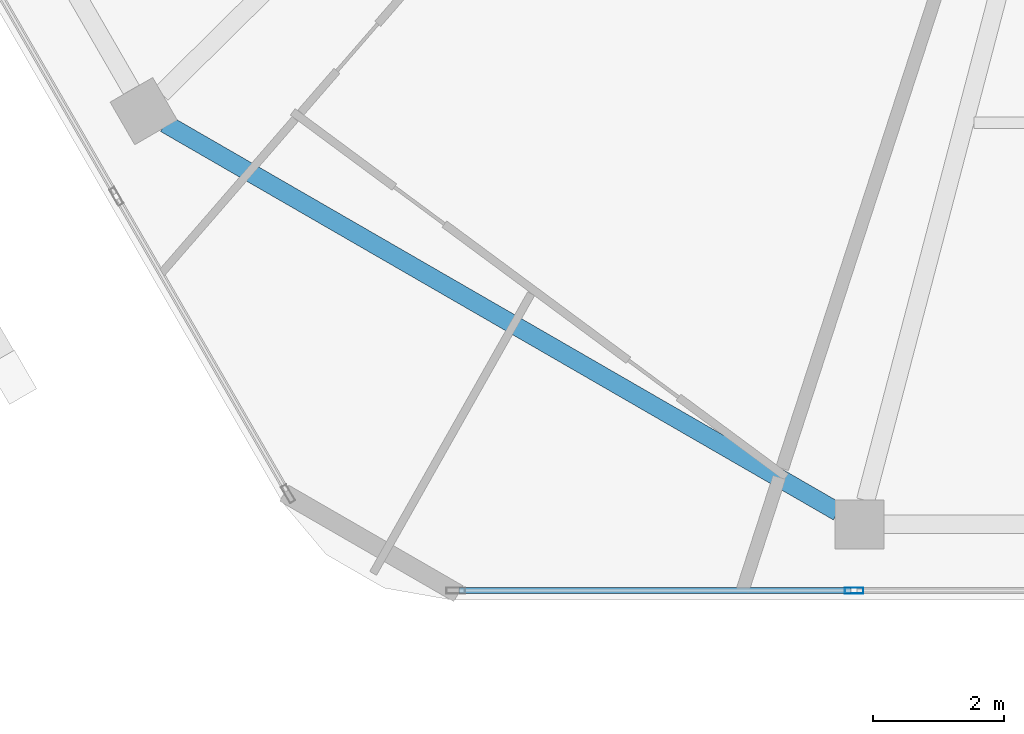
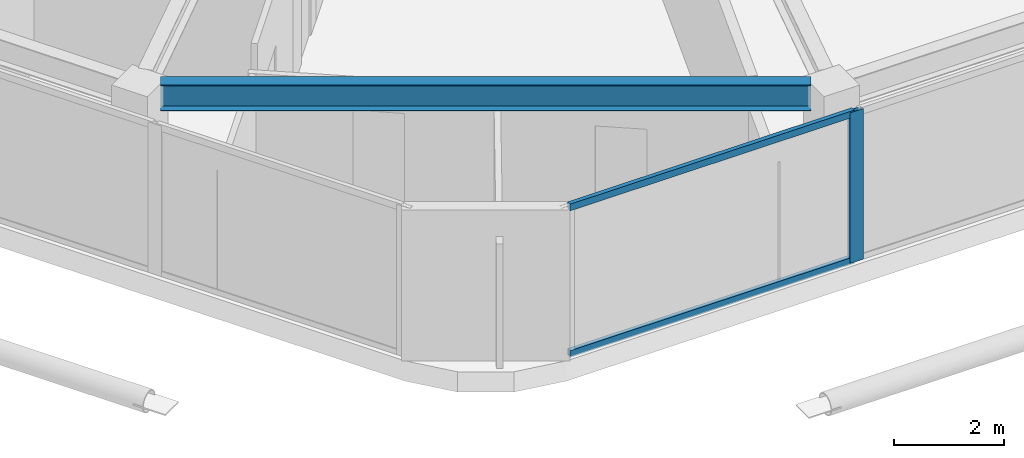
# One storey, part 3 of 22: 3 members, 1 beam, 1 element without a shape of its own.
"""IFC4 building model written with IfcOpenShell, lengths in metres."""

from ifc_helpers import new_model, si_unit, direction, frame, origin, origin_2d, place, context, subcontext, project, spatial, hollow_rectangle, i_section, extrude, material, material_profile, profile_set, type_object, element, aggregate, save


model = new_model("IFC4")

# Units and contexts
model_context = context("Model", 3, precision=1e-05, world=origin(), true_north=direction((0.0, 1.0)))
body_context = subcontext(model_context, "Body", "Model", "MODEL_VIEW")
ifc_project = project(units=[si_unit("LENGTHUNIT", "METRE"), si_unit("AREAUNIT", "SQUARE_METRE"), si_unit("VOLUMEUNIT", "CUBIC_METRE"), si_unit("PLANEANGLEUNIT", "RADIAN"), si_unit("MASSUNIT", "GRAM", prefix="KILO")], contexts=[model_context])

# Site, building, storey
site_placement = place(None, origin())
site = spatial("IfcSite", under=ifc_project, at=site_placement, CompositionType="ELEMENT")
building_placement = place(site_placement, origin())
building = spatial("IfcBuilding", under=site, at=building_placement, Name="Zuhravey Tower", CompositionType="ELEMENT")
storey_placement = place(building_placement, frame((0.0, 0.0, 357.60009765625)))
storey = spatial("IfcBuildingStorey", under=building, at=storey_placement, Name="L91", CompositionType="ELEMENT", Elevation=357.60009765625)

# Curtain wall, members
ifc_material_1 = material(Name="Thermally broken anodised aluminium", Category="aluminium")
curtain_wall_type = type_object("IfcCurtainWallType", Name="Zone 3-4 High-Rise Curtain Wall CW4", PredefinedType="NOTDEFINED", material=ifc_material_1)
curtain_wall_placement = place(storey_placement, origin())
curtain_wall = element("IfcCurtainWall", 1, at=curtain_wall_placement, inside=storey, type_object=curtain_wall_type, Name="L91 CW4 CW-L91-F5-1", PredefinedType="NOTDEFINED")
ifc_material_2 = material(Name="Anodised aluminium", Category="aluminium")
ifc_material_profile_1 = material_profile(ifc_material_2, hollow_rectangle(XDim=0.090087890625, YDim=0.284912109375, WallThickness=0.0048828125, at=origin_2d()), Name="ALU-RHS-90x285x5")
ifc_profile_set_1 = profile_set([ifc_material_profile_1], Name="Anodised aluminium")
member_type_1 = type_object("IfcMemberType", Name="Curtain-Wall Mullion 90x180", PredefinedType="MULLION", material=ifc_profile_set_1)
member_1_placement = place(storey_placement, frame((29.88037109375, 7.92578125, 0.0), z_axis=(0.0, 0.0, 1.0), x_axis=(0.0, -1.0, 0.0)))
member_1 = element("IfcMember", 2, at=member_1_placement, type_object=member_type_1, Name="CW4 mullion 4", PredefinedType="MULLION", context=body_context, shape_type="SweptSolid", body=[
    extrude(hollow_rectangle(XDim=0.090087890625, YDim=0.284912109375, WallThickness=0.0048828125, at=origin_2d()), origin(), (0.0, 0.0, 1.0), 3.349853515625),
])
ifc_material_profile_2 = material_profile(ifc_material_2, hollow_rectangle(XDim=0.090087890625, YDim=0.14990234375, WallThickness=0.0048828125, at=origin_2d()), Name="ALU-RHS-90x150x5")
ifc_profile_set_2 = profile_set([ifc_material_profile_2], Name="Anodised aluminium")
member_type_2 = type_object("IfcMemberType", Name="Curtain-Wall Transom 90x150", PredefinedType="USERDEFINED", material=ifc_profile_set_2)
member_2_placement = place(storey_placement, frame((29.83544921875, 7.92578125, 0.044921875), z_axis=(-1.0, 0.0, 0.0), x_axis=(0.0, -1.0, 0.0)))
member_2 = element("IfcMember", 3, at=member_2_placement, type_object=member_type_2, Name="CW4 transom 4.1", ObjectType="TRANSOM", PredefinedType="USERDEFINED", context=body_context, shape_type="SweptSolid", body=[
    extrude(hollow_rectangle(XDim=0.090087890625, YDim=0.14990234375, WallThickness=0.0048828125, at=origin_2d()), origin(), (0.0, 0.0, 1.0), 5.98486328125),
])
member_3_placement = place(storey_placement, frame((29.83544921875, 7.92578125, 3.304931640625), z_axis=(-1.0, 0.0, 0.0), x_axis=(0.0, -1.0, 0.0)))
member_3 = element("IfcMember", 4, at=member_3_placement, type_object=member_type_2, Name="CW4 transom 4.2", ObjectType="TRANSOM", PredefinedType="USERDEFINED", context=body_context, shape_type="SweptSolid", body=[
    extrude(hollow_rectangle(XDim=0.090087890625, YDim=0.14990234375, WallThickness=0.0048828125, at=origin_2d()), origin(), (0.0, 0.0, 1.0), 5.98486328125),
])
aggregate(curtain_wall, [member_1, member_2, member_3])

# Beam
ifc_material_3 = material(Name="Steel SM355", Category="steel")
ifc_material_profile_3 = material_profile(ifc_material_3, i_section(OverallWidth=0.280029296875, OverallDepth=0.580078125, WebThickness=0.011962890625, FlangeThickness=0.01904296875, at=origin_2d()), Name="H-580x280x12x19")
ifc_profile_set_3 = profile_set([ifc_material_profile_3], Name="Steel SM355")
beam_type = type_object("IfcBeamType", Name="Perimeter Ring Beam H580x280", PredefinedType="BEAM", material=ifc_profile_set_3)
beam_placement = place(storey_placement, frame((19.37255859375, 15.04931640625, 3.059814453125), z_axis=(0.866030838723, -0.499990586292, 0.0), x_axis=(0.499990586292, 0.866030838723, 0.0)))
element("IfcBeam", 5, at=beam_placement, inside=storey, type_object=beam_type, Name="L91 PB4 BM-L91-PB-08", PredefinedType="BEAM", context=body_context, shape_type="SweptSolid", body=[
    extrude(i_section(OverallWidth=0.280029296875, OverallDepth=0.580078125, WebThickness=0.011962890625, FlangeThickness=0.01904296875, at=origin_2d()), origin(), (0.0, 0.0, 1.0), 11.848876953125),
])

save(model, "model.ifc")
